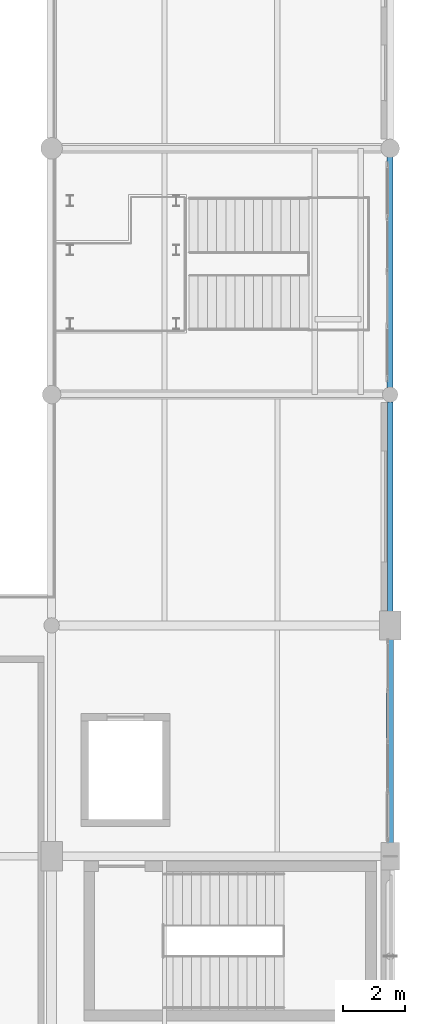
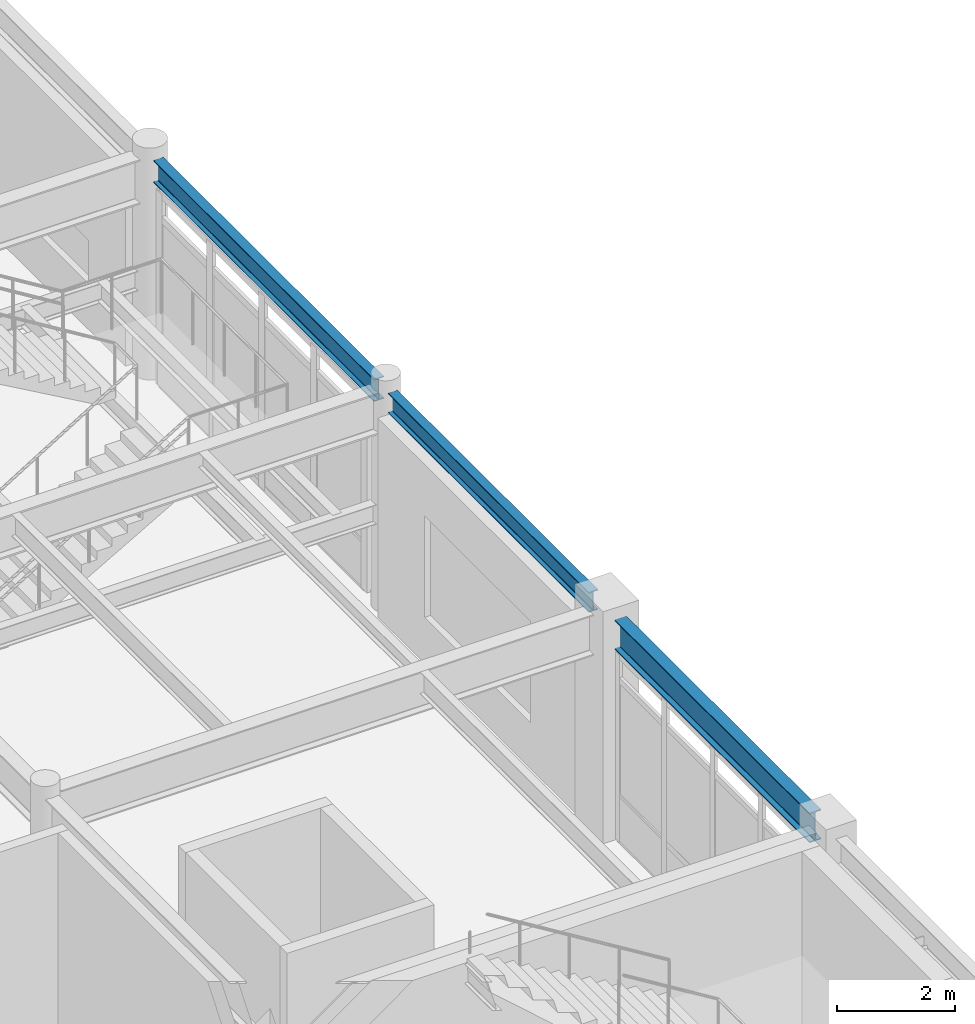
# One storey, part 120 of 200: 3 beams.
"""IFC4 building model written with IfcOpenShell, lengths in metres."""

from ifc_helpers import new_model, si_unit, direction, frame, origin, origin_2d, place, context, subcontext, project, spatial, i_section, extrude, material, material_profile, profile_set, type_object, element, save


model = new_model("IFC4")

# Units and contexts
model_context = context("Model", 3, precision=1e-05, world=origin(), true_north=direction((0.0, 1.0)))
body_context = subcontext(model_context, "Body", "Model", "MODEL_VIEW")
ifc_project = project(units=[si_unit("LENGTHUNIT", "METRE"), si_unit("AREAUNIT", "SQUARE_METRE"), si_unit("VOLUMEUNIT", "CUBIC_METRE"), si_unit("PLANEANGLEUNIT", "RADIAN"), si_unit("MASSUNIT", "GRAM", prefix="KILO"), si_unit("THERMODYNAMICTEMPERATUREUNIT", "KELVIN"), si_unit("POWERUNIT", "WATT")], contexts=[model_context])

# Site, building, storey
site_placement = place(None, origin())
site = spatial("IfcSite", under=ifc_project, at=site_placement, CompositionType="ELEMENT")
building_placement = place(site_placement, origin())
building = spatial("IfcBuilding", under=site, at=building_placement, Name="Tepalcoro Natatorium and Aquatics Centre", CompositionType="ELEMENT")
storey_placement = place(building_placement, frame((0.0, 0.0, 5.39990234375)))
storey = spatial("IfcBuildingStorey", under=building, at=storey_placement, Name="L01", CompositionType="ELEMENT", Elevation=5.39990234375)

# Beams
ifc_material = material(Name="Steel ASTM A992 Grade 50 (Fy 345 MPa)", Category="steel")
ifc_material_profile_1 = material_profile(ifc_material, i_section(OverallWidth=0.179931640625, OverallDepth=0.4130859375, WebThickness=0.010009765625, FlangeThickness=0.01611328125, FilletRadius=0.013916015625, at=origin_2d()), Name="W16X50")
ifc_profile_set_1 = profile_set([ifc_material_profile_1], Name="Steel ASTM A992 Grade 50 (Fy 345 MPa)")
beam_type_1 = type_object("IfcBeamType", Name="SP_HSS300x200x12", PredefinedType="SPANDREL", material=ifc_profile_set_1)
beam_1_placement = place(storey_placement, frame((176.0, 20.9599609375, 4.338623046875), z_axis=(0.0, 1.0, 0.0), x_axis=(-1.0, 0.0, 0.0)))
element("IfcBeam", 1, at=beam_1_placement, inside=storey, type_object=beam_type_1, Name="V2 L01 Grid Girder Y", PredefinedType="SPANDREL", context=body_context, shape_type="SweptSolid", body=[
    extrude(i_section(OverallWidth=0.179931640625, OverallDepth=0.4130859375, WebThickness=0.010009765625, FlangeThickness=0.01611328125, FilletRadius=0.013916015625, at=origin_2d()), origin(), (0.0, 0.0, 1.0), 6.804931640625),
])
ifc_material_profile_2 = material_profile(ifc_material, i_section(OverallWidth=0.19091796875, OverallDepth=0.4599609375, WebThickness=0.010009765625, FlangeThickness=0.01611328125, FilletRadius=0.013916015625, at=origin_2d()), Name="W18X55")
ifc_profile_set_2 = profile_set([ifc_material_profile_2], Name="Steel ASTM A992 Grade 50 (Fy 345 MPa)")
beam_type_2 = type_object("IfcBeamType", Name="SP_W18x55", PredefinedType="SPANDREL", material=ifc_profile_set_2)
beam_2_placement = place(storey_placement, frame((176.0, 28.235107421875, 4.315185546875), z_axis=(0.0, 1.0, 0.0), x_axis=(-1.0, 0.0, 0.0)))
element("IfcBeam", 2, at=beam_2_placement, inside=storey, type_object=beam_type_2, Name="V2 L01 Grid Girder Y", PredefinedType="SPANDREL", context=body_context, shape_type="SweptSolid", body=[
    extrude(i_section(OverallWidth=0.19091796875, OverallDepth=0.4599609375, WebThickness=0.010009765625, FlangeThickness=0.01611328125, FilletRadius=0.013916015625, at=origin_2d()), origin(), (0.0, 0.0, 1.0), 7.47998046875),
])
ifc_material_profile_3 = material_profile(ifc_material, i_section(OverallWidth=0.22900390625, OverallDepth=0.612060546875, WebThickness=0.011962890625, FlangeThickness=0.02001953125, FilletRadius=0.013916015625, at=origin_2d()), Name="W24X84")
ifc_profile_set_3 = profile_set([ifc_material_profile_3], Name="Steel ASTM A992 Grade 50 (Fy 345 MPa)")
beam_type_3 = type_object("IfcBeamType", Name="SP_W24x84", PredefinedType="SPANDREL", material=ifc_profile_set_3)
beam_3_placement = place(storey_placement, frame((176.0, 13.43505859375, 4.239013671875), z_axis=(0.0, 1.0, 0.0), x_axis=(-1.0, 0.0, 0.0)))
element("IfcBeam", 3, at=beam_3_placement, inside=storey, type_object=beam_type_3, Name="V2 L01 Grid Girder Y", PredefinedType="SPANDREL", context=body_context, shape_type="SweptSolid", body=[
    extrude(i_section(OverallWidth=0.22900390625, OverallDepth=0.612060546875, WebThickness=0.011962890625, FlangeThickness=0.02001953125, FilletRadius=0.013916015625, at=origin_2d()), origin(), (0.0, 0.0, 1.0), 6.60498046875),
])

save(model, "model.ifc")
